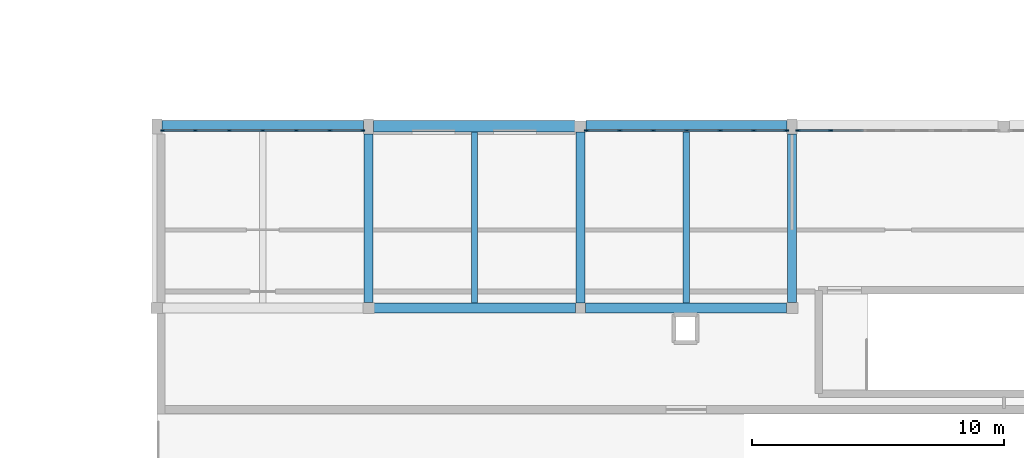
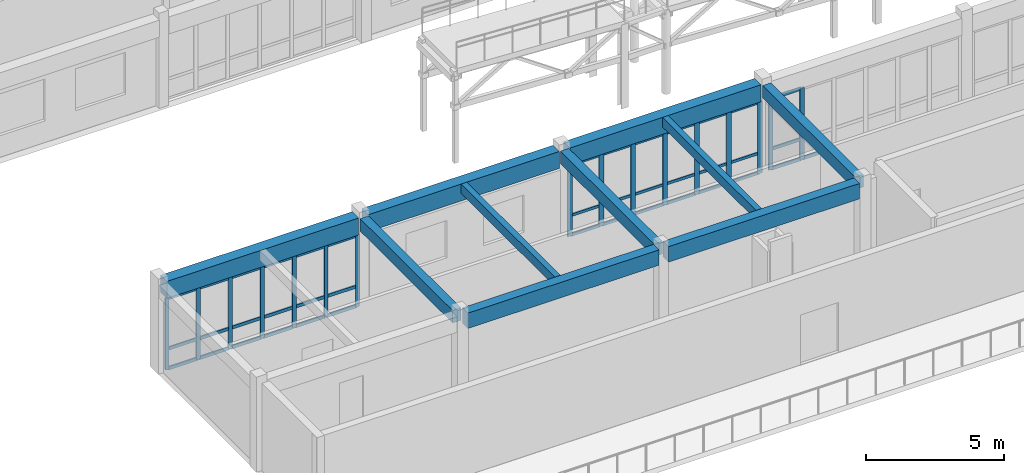
# One storey, part 22 of 89: 56 members, 10 beams, 3 elements without a shape of their own.
"""IFC4 building model written with IfcOpenShell, lengths in metres."""

from ifc_helpers import new_model, si_unit, direction, frame, origin, origin_2d, place, context, subcontext, project, spatial, rectangle, extrude, material, material_profile, profile_set, type_object, element, aggregate, save


model = new_model("IFC4")

# Units and contexts
model_context = context("Model", 3, precision=1e-05, world=origin(), true_north=direction((0.0, 1.0)))
body_context = subcontext(model_context, "Body", "Model", "MODEL_VIEW")
ifc_project = project(units=[si_unit("LENGTHUNIT", "METRE"), si_unit("AREAUNIT", "SQUARE_METRE"), si_unit("VOLUMEUNIT", "CUBIC_METRE"), si_unit("PLANEANGLEUNIT", "RADIAN"), si_unit("MASSUNIT", "GRAM", prefix="KILO")], contexts=[model_context])

# Site, building, storey
site_placement = place(None, origin())
site = spatial("IfcSite", under=ifc_project, at=site_placement, CompositionType="ELEMENT")
building_placement = place(site_placement, origin())
building = spatial("IfcBuilding", under=site, at=building_placement, Name="Malvenik Polytechnic", CompositionType="ELEMENT")
storey_placement = place(building_placement, frame((0.0, 0.0, 13.5)))
storey = spatial("IfcBuildingStorey", under=building, at=storey_placement, Name="L03", CompositionType="ELEMENT", Elevation=13.5)

# Curtain wall, members
ifc_material_1 = material(Name="Anodised aluminium 6060-T6", Category="aluminium")
curtain_wall_type = type_object("IfcCurtainWallType", Name="ARC-CW-CW-02", PredefinedType="NOTDEFINED", material=ifc_material_1)
curtain_wall_1_placement = place(storey_placement, origin())
curtain_wall_1 = element("IfcCurtainWall", 1, at=curtain_wall_1_placement, inside=storey, type_object=curtain_wall_type, Name="Unitised Curtain Wall CW-02 L03 #206", PredefinedType="NOTDEFINED")
ifc_material_2 = material(Name="Anodised aluminium", Category="aluminium")
ifc_material_profile_1 = material_profile(ifc_material_2, rectangle(XDim=0.06005859375, YDim=0.159912109375, at=origin_2d()), Name="ALU MULLION 60x160")
ifc_profile_set_1 = profile_set([ifc_material_profile_1], Name="Anodised aluminium")
member_type_1 = type_object("IfcMemberType", Name="ARC-CWM-160", PredefinedType="MULLION", material=ifc_profile_set_1)
member_1_placement = place(storey_placement, frame((8.6279296875, 64.6298828125, 0.0), z_axis=(0.0, 0.0, 1.0), x_axis=(0.0, 1.0, 0.0)))
member_1 = element("IfcMember", 2, at=member_1_placement, type_object=member_type_1, Name="CW-02 mullion 1", PredefinedType="MULLION", context=body_context, shape_type="SweptSolid", body=[
    extrude(rectangle(XDim=0.06005859375, YDim=0.159912109375, at=origin_2d()), origin(), (0.0, 0.0, 1.0), 3.159912109375),
])
member_2_placement = place(storey_placement, frame((9.931884765625, 64.6298828125, 0.0), z_axis=(0.0, 0.0, 1.0), x_axis=(0.0, 1.0, 0.0)))
member_2 = element("IfcMember", 3, at=member_2_placement, type_object=member_type_1, Name="CW-02 mullion 2", PredefinedType="MULLION", context=body_context, shape_type="SweptSolid", body=[
    extrude(rectangle(XDim=0.06005859375, YDim=0.159912109375, at=origin_2d()), origin(), (0.0, 0.0, 1.0), 3.159912109375),
])
member_3_placement = place(storey_placement, frame((11.26611328125, 64.6298828125, 0.0), z_axis=(0.0, 0.0, 1.0), x_axis=(0.0, 1.0, 0.0)))
member_3 = element("IfcMember", 4, at=member_3_placement, type_object=member_type_1, Name="CW-02 mullion 3", PredefinedType="MULLION", context=body_context, shape_type="SweptSolid", body=[
    extrude(rectangle(XDim=0.06005859375, YDim=0.159912109375, at=origin_2d()), origin(), (0.0, 0.0, 1.0), 3.159912109375),
])
member_4_placement = place(storey_placement, frame((12.60009765625, 64.6298828125, 0.0), z_axis=(0.0, 0.0, 1.0), x_axis=(0.0, 1.0, 0.0)))
member_4 = element("IfcMember", 5, at=member_4_placement, type_object=member_type_1, Name="CW-02 mullion 4", PredefinedType="MULLION", context=body_context, shape_type="SweptSolid", body=[
    extrude(rectangle(XDim=0.06005859375, YDim=0.159912109375, at=origin_2d()), origin(), (0.0, 0.0, 1.0), 3.159912109375),
])
member_5_placement = place(storey_placement, frame((13.93408203125, 64.6298828125, 0.0), z_axis=(0.0, 0.0, 1.0), x_axis=(0.0, 1.0, 0.0)))
member_5 = element("IfcMember", 6, at=member_5_placement, type_object=member_type_1, Name="CW-02 mullion 5", PredefinedType="MULLION", context=body_context, shape_type="SweptSolid", body=[
    extrude(rectangle(XDim=0.06005859375, YDim=0.159912109375, at=origin_2d()), origin(), (0.0, 0.0, 1.0), 3.159912109375),
])
member_6_placement = place(storey_placement, frame((15.26806640625, 64.6298828125, 0.0), z_axis=(0.0, 0.0, 1.0), x_axis=(0.0, 1.0, 0.0)))
member_6 = element("IfcMember", 7, at=member_6_placement, type_object=member_type_1, Name="CW-02 mullion 6", PredefinedType="MULLION", context=body_context, shape_type="SweptSolid", body=[
    extrude(rectangle(XDim=0.06005859375, YDim=0.159912109375, at=origin_2d()), origin(), (0.0, 0.0, 1.0), 3.159912109375),
])
member_7_placement = place(storey_placement, frame((16.572021484375, 64.6298828125, 0.0), z_axis=(0.0, 0.0, 1.0), x_axis=(0.0, 1.0, 0.0)))
member_7 = element("IfcMember", 8, at=member_7_placement, type_object=member_type_1, Name="CW-02 mullion 7", PredefinedType="MULLION", context=body_context, shape_type="SweptSolid", body=[
    extrude(rectangle(XDim=0.06005859375, YDim=0.159912109375, at=origin_2d()), origin(), (0.0, 0.0, 1.0), 3.159912109375),
])

curtain_wall_2_placement = place(storey_placement, origin())
curtain_wall_2 = element("IfcCurtainWall", 9, at=curtain_wall_2_placement, inside=storey, type_object=curtain_wall_type, Name="Unitised Curtain Wall CW-02 L03 #208", PredefinedType="NOTDEFINED")
ifc_material_profile_2 = material_profile(ifc_material_2, rectangle(XDim=0.06005859375, YDim=0.179931640625, at=origin_2d()), Name="ALU MULLION 60x180")
ifc_profile_set_2 = profile_set([ifc_material_profile_2], Name="Anodised aluminium")
member_type_2 = type_object("IfcMemberType", Name="ARC-CWM-180", PredefinedType="MULLION", material=ifc_profile_set_2)
member_8_placement = place(storey_placement, frame((33.827880859375, 64.6298828125, 0.0), z_axis=(0.0, 0.0, 1.0), x_axis=(0.0, 1.0, 0.0)))
member_8 = element("IfcMember", 10, at=member_8_placement, type_object=member_type_2, Name="CW-02 mullion 1", PredefinedType="MULLION", context=body_context, shape_type="SweptSolid", body=[
    extrude(rectangle(XDim=0.06005859375, YDim=0.179931640625, at=origin_2d()), origin(), (0.0, 0.0, 1.0), 3.159912109375),
])
member_9_placement = place(storey_placement, frame((35.1279296875, 64.6298828125, 0.0), z_axis=(0.0, 0.0, 1.0), x_axis=(0.0, 1.0, 0.0)))
member_9 = element("IfcMember", 11, at=member_9_placement, type_object=member_type_2, Name="CW-02 mullion 2", PredefinedType="MULLION", context=body_context, shape_type="SweptSolid", body=[
    extrude(rectangle(XDim=0.06005859375, YDim=0.179931640625, at=origin_2d()), origin(), (0.0, 0.0, 1.0), 3.159912109375),
])

curtain_wall_3_placement = place(storey_placement, origin())
curtain_wall_3 = element("IfcCurtainWall", 12, at=curtain_wall_3_placement, inside=storey, type_object=curtain_wall_type, Name="Unitised Curtain Wall CW-02 L03 #207", PredefinedType="NOTDEFINED")
ifc_material_profile_3 = material_profile(ifc_material_2, rectangle(XDim=0.06005859375, YDim=0.199951171875, at=origin_2d()), Name="ALU MULLION 60x200")
ifc_profile_set_3 = profile_set([ifc_material_profile_3], Name="Anodised aluminium")
member_type_3 = type_object("IfcMemberType", Name="ARC-CWM-200", PredefinedType="MULLION", material=ifc_profile_set_3)
member_10_placement = place(storey_placement, frame((25.452880859375, 64.6298828125, 0.0), z_axis=(0.0, 0.0, 1.0), x_axis=(0.0, 1.0, 0.0)))
member_10 = element("IfcMember", 13, at=member_10_placement, type_object=member_type_3, Name="CW-02 mullion 1", PredefinedType="MULLION", context=body_context, shape_type="SweptSolid", body=[
    extrude(rectangle(XDim=0.06005859375, YDim=0.199951171875, at=origin_2d()), origin(), (0.0, 0.0, 1.0), 3.159912109375),
])
member_11_placement = place(storey_placement, frame((26.7529296875, 64.6298828125, 0.0), z_axis=(0.0, 0.0, 1.0), x_axis=(0.0, 1.0, 0.0)))
member_11 = element("IfcMember", 14, at=member_11_placement, type_object=member_type_3, Name="CW-02 mullion 2", PredefinedType="MULLION", context=body_context, shape_type="SweptSolid", body=[
    extrude(rectangle(XDim=0.06005859375, YDim=0.199951171875, at=origin_2d()), origin(), (0.0, 0.0, 1.0), 3.159912109375),
])
member_12_placement = place(storey_placement, frame((28.082763671875, 64.6298828125, 0.0), z_axis=(0.0, 0.0, 1.0), x_axis=(0.0, 1.0, 0.0)))
member_12 = element("IfcMember", 15, at=member_12_placement, type_object=member_type_3, Name="CW-02 mullion 3", PredefinedType="MULLION", context=body_context, shape_type="SweptSolid", body=[
    extrude(rectangle(XDim=0.06005859375, YDim=0.199951171875, at=origin_2d()), origin(), (0.0, 0.0, 1.0), 3.159912109375),
])
member_13_placement = place(storey_placement, frame((29.41259765625, 64.6298828125, 0.0), z_axis=(0.0, 0.0, 1.0), x_axis=(0.0, 1.0, 0.0)))
member_13 = element("IfcMember", 16, at=member_13_placement, type_object=member_type_3, Name="CW-02 mullion 4", PredefinedType="MULLION", context=body_context, shape_type="SweptSolid", body=[
    extrude(rectangle(XDim=0.06005859375, YDim=0.199951171875, at=origin_2d()), origin(), (0.0, 0.0, 1.0), 3.159912109375),
])
member_14_placement = place(storey_placement, frame((30.742431640625, 64.6298828125, 0.0), z_axis=(0.0, 0.0, 1.0), x_axis=(0.0, 1.0, 0.0)))
member_14 = element("IfcMember", 17, at=member_14_placement, type_object=member_type_3, Name="CW-02 mullion 5", PredefinedType="MULLION", context=body_context, shape_type="SweptSolid", body=[
    extrude(rectangle(XDim=0.06005859375, YDim=0.199951171875, at=origin_2d()), origin(), (0.0, 0.0, 1.0), 3.159912109375),
])
member_15_placement = place(storey_placement, frame((32.072265625, 64.6298828125, 0.0), z_axis=(0.0, 0.0, 1.0), x_axis=(0.0, 1.0, 0.0)))
member_15 = element("IfcMember", 18, at=member_15_placement, type_object=member_type_3, Name="CW-02 mullion 6", PredefinedType="MULLION", context=body_context, shape_type="SweptSolid", body=[
    extrude(rectangle(XDim=0.06005859375, YDim=0.199951171875, at=origin_2d()), origin(), (0.0, 0.0, 1.0), 3.159912109375),
])
member_16_placement = place(storey_placement, frame((33.3720703125, 64.6298828125, 0.0), z_axis=(0.0, 0.0, 1.0), x_axis=(0.0, 1.0, 0.0)))
member_16 = element("IfcMember", 19, at=member_16_placement, type_object=member_type_3, Name="CW-02 mullion 7", PredefinedType="MULLION", context=body_context, shape_type="SweptSolid", body=[
    extrude(rectangle(XDim=0.06005859375, YDim=0.199951171875, at=origin_2d()), origin(), (0.0, 0.0, 1.0), 3.159912109375),
])
ifc_material_profile_4 = material_profile(ifc_material_2, rectangle(XDim=0.06005859375, YDim=0.1201171875, at=origin_2d()), Name="ALU TRANSOM 60x120")
ifc_profile_set_4 = profile_set([ifc_material_profile_4], Name="Anodised aluminium")
member_type_4 = type_object("IfcMemberType", Name="ARC-CWT-120", PredefinedType="USERDEFINED", material=ifc_profile_set_4)
member_17_placement = place(storey_placement, frame((25.48291015625, 64.6298828125, 0.030029296875), z_axis=(1.0, 0.0, 0.0), x_axis=(0.0, 1.0, 0.0)))
member_17 = element("IfcMember", 20, at=member_17_placement, type_object=member_type_4, Name="CW-02 transom 1.1", ObjectType="TRANSOM", PredefinedType="USERDEFINED", context=body_context, shape_type="SweptSolid", body=[
    extrude(rectangle(XDim=0.06005859375, YDim=0.1201171875, at=origin_2d()), origin(), (0.0, 0.0, 1.0), 1.239990234375),
])
member_18_placement = place(storey_placement, frame((25.48291015625, 64.6298828125, 0.89990234375), z_axis=(1.0, 0.0, 0.0), x_axis=(0.0, 1.0, 0.0)))
member_18 = element("IfcMember", 21, at=member_18_placement, type_object=member_type_4, Name="CW-02 transom 1.2", ObjectType="TRANSOM", PredefinedType="USERDEFINED", context=body_context, shape_type="SweptSolid", body=[
    extrude(rectangle(XDim=0.06005859375, YDim=0.1201171875, at=origin_2d()), origin(), (0.0, 0.0, 1.0), 1.239990234375),
])
member_19_placement = place(storey_placement, frame((25.48291015625, 64.6298828125, 3.1298828125), z_axis=(1.0, 0.0, 0.0), x_axis=(0.0, 1.0, 0.0)))
member_19 = element("IfcMember", 22, at=member_19_placement, type_object=member_type_4, Name="CW-02 transom 1.3", ObjectType="TRANSOM", PredefinedType="USERDEFINED", context=body_context, shape_type="SweptSolid", body=[
    extrude(rectangle(XDim=0.06005859375, YDim=0.1201171875, at=origin_2d()), origin(), (0.0, 0.0, 1.0), 1.239990234375),
])
member_20_placement = place(storey_placement, frame((26.78271484375, 64.6298828125, 0.030029296875), z_axis=(1.0, 0.0, 0.0), x_axis=(0.0, 1.0, 0.0)))
member_20 = element("IfcMember", 23, at=member_20_placement, type_object=member_type_4, Name="CW-02 transom 2.1", ObjectType="TRANSOM", PredefinedType="USERDEFINED", context=body_context, shape_type="SweptSolid", body=[
    extrude(rectangle(XDim=0.06005859375, YDim=0.1201171875, at=origin_2d()), origin(), (0.0, 0.0, 1.0), 1.27001953125),
])
member_21_placement = place(storey_placement, frame((26.78271484375, 64.6298828125, 0.89990234375), z_axis=(1.0, 0.0, 0.0), x_axis=(0.0, 1.0, 0.0)))
member_21 = element("IfcMember", 24, at=member_21_placement, type_object=member_type_4, Name="CW-02 transom 2.2", ObjectType="TRANSOM", PredefinedType="USERDEFINED", context=body_context, shape_type="SweptSolid", body=[
    extrude(rectangle(XDim=0.06005859375, YDim=0.1201171875, at=origin_2d()), origin(), (0.0, 0.0, 1.0), 1.27001953125),
])
member_22_placement = place(storey_placement, frame((26.78271484375, 64.6298828125, 3.1298828125), z_axis=(1.0, 0.0, 0.0), x_axis=(0.0, 1.0, 0.0)))
member_22 = element("IfcMember", 25, at=member_22_placement, type_object=member_type_4, Name="CW-02 transom 2.3", ObjectType="TRANSOM", PredefinedType="USERDEFINED", context=body_context, shape_type="SweptSolid", body=[
    extrude(rectangle(XDim=0.06005859375, YDim=0.1201171875, at=origin_2d()), origin(), (0.0, 0.0, 1.0), 1.27001953125),
])
member_23_placement = place(storey_placement, frame((28.112548828125, 64.6298828125, 0.030029296875), z_axis=(1.0, 0.0, 0.0), x_axis=(0.0, 1.0, 0.0)))
member_23 = element("IfcMember", 26, at=member_23_placement, type_object=member_type_4, Name="CW-02 transom 3.1", ObjectType="TRANSOM", PredefinedType="USERDEFINED", context=body_context, shape_type="SweptSolid", body=[
    extrude(rectangle(XDim=0.06005859375, YDim=0.1201171875, at=origin_2d()), origin(), (0.0, 0.0, 1.0), 1.27001953125),
])
member_24_placement = place(storey_placement, frame((28.112548828125, 64.6298828125, 0.89990234375), z_axis=(1.0, 0.0, 0.0), x_axis=(0.0, 1.0, 0.0)))
member_24 = element("IfcMember", 27, at=member_24_placement, type_object=member_type_4, Name="CW-02 transom 3.2", ObjectType="TRANSOM", PredefinedType="USERDEFINED", context=body_context, shape_type="SweptSolid", body=[
    extrude(rectangle(XDim=0.06005859375, YDim=0.1201171875, at=origin_2d()), origin(), (0.0, 0.0, 1.0), 1.27001953125),
])
member_25_placement = place(storey_placement, frame((28.112548828125, 64.6298828125, 3.1298828125), z_axis=(1.0, 0.0, 0.0), x_axis=(0.0, 1.0, 0.0)))
member_25 = element("IfcMember", 28, at=member_25_placement, type_object=member_type_4, Name="CW-02 transom 3.3", ObjectType="TRANSOM", PredefinedType="USERDEFINED", context=body_context, shape_type="SweptSolid", body=[
    extrude(rectangle(XDim=0.06005859375, YDim=0.1201171875, at=origin_2d()), origin(), (0.0, 0.0, 1.0), 1.27001953125),
])
member_26_placement = place(storey_placement, frame((29.4423828125, 64.6298828125, 0.030029296875), z_axis=(1.0, 0.0, 0.0), x_axis=(0.0, 1.0, 0.0)))
member_26 = element("IfcMember", 29, at=member_26_placement, type_object=member_type_4, Name="CW-02 transom 4.1", ObjectType="TRANSOM", PredefinedType="USERDEFINED", context=body_context, shape_type="SweptSolid", body=[
    extrude(rectangle(XDim=0.06005859375, YDim=0.1201171875, at=origin_2d()), origin(), (0.0, 0.0, 1.0), 1.27001953125),
])
member_27_placement = place(storey_placement, frame((29.4423828125, 64.6298828125, 0.89990234375), z_axis=(1.0, 0.0, 0.0), x_axis=(0.0, 1.0, 0.0)))
member_27 = element("IfcMember", 30, at=member_27_placement, type_object=member_type_4, Name="CW-02 transom 4.2", ObjectType="TRANSOM", PredefinedType="USERDEFINED", context=body_context, shape_type="SweptSolid", body=[
    extrude(rectangle(XDim=0.06005859375, YDim=0.1201171875, at=origin_2d()), origin(), (0.0, 0.0, 1.0), 1.27001953125),
])
member_28_placement = place(storey_placement, frame((29.4423828125, 64.6298828125, 3.1298828125), z_axis=(1.0, 0.0, 0.0), x_axis=(0.0, 1.0, 0.0)))
member_28 = element("IfcMember", 31, at=member_28_placement, type_object=member_type_4, Name="CW-02 transom 4.3", ObjectType="TRANSOM", PredefinedType="USERDEFINED", context=body_context, shape_type="SweptSolid", body=[
    extrude(rectangle(XDim=0.06005859375, YDim=0.1201171875, at=origin_2d()), origin(), (0.0, 0.0, 1.0), 1.27001953125),
])
member_29_placement = place(storey_placement, frame((30.772216796875, 64.6298828125, 0.030029296875), z_axis=(1.0, 0.0, 0.0), x_axis=(0.0, 1.0, 0.0)))
member_29 = element("IfcMember", 32, at=member_29_placement, type_object=member_type_4, Name="CW-02 transom 5.1", ObjectType="TRANSOM", PredefinedType="USERDEFINED", context=body_context, shape_type="SweptSolid", body=[
    extrude(rectangle(XDim=0.06005859375, YDim=0.1201171875, at=origin_2d()), origin(), (0.0, 0.0, 1.0), 1.27001953125),
])
member_30_placement = place(storey_placement, frame((30.772216796875, 64.6298828125, 0.89990234375), z_axis=(1.0, 0.0, 0.0), x_axis=(0.0, 1.0, 0.0)))
member_30 = element("IfcMember", 33, at=member_30_placement, type_object=member_type_4, Name="CW-02 transom 5.2", ObjectType="TRANSOM", PredefinedType="USERDEFINED", context=body_context, shape_type="SweptSolid", body=[
    extrude(rectangle(XDim=0.06005859375, YDim=0.1201171875, at=origin_2d()), origin(), (0.0, 0.0, 1.0), 1.27001953125),
])
member_31_placement = place(storey_placement, frame((30.772216796875, 64.6298828125, 3.1298828125), z_axis=(1.0, 0.0, 0.0), x_axis=(0.0, 1.0, 0.0)))
member_31 = element("IfcMember", 34, at=member_31_placement, type_object=member_type_4, Name="CW-02 transom 5.3", ObjectType="TRANSOM", PredefinedType="USERDEFINED", context=body_context, shape_type="SweptSolid", body=[
    extrude(rectangle(XDim=0.06005859375, YDim=0.1201171875, at=origin_2d()), origin(), (0.0, 0.0, 1.0), 1.27001953125),
])
member_32_placement = place(storey_placement, frame((32.10205078125, 64.6298828125, 0.030029296875), z_axis=(1.0, 0.0, 0.0), x_axis=(0.0, 1.0, 0.0)))
member_32 = element("IfcMember", 35, at=member_32_placement, type_object=member_type_4, Name="CW-02 transom 6.1", ObjectType="TRANSOM", PredefinedType="USERDEFINED", context=body_context, shape_type="SweptSolid", body=[
    extrude(rectangle(XDim=0.06005859375, YDim=0.1201171875, at=origin_2d()), origin(), (0.0, 0.0, 1.0), 1.239990234375),
])
member_33_placement = place(storey_placement, frame((32.10205078125, 64.6298828125, 0.89990234375), z_axis=(1.0, 0.0, 0.0), x_axis=(0.0, 1.0, 0.0)))
member_33 = element("IfcMember", 36, at=member_33_placement, type_object=member_type_4, Name="CW-02 transom 6.2", ObjectType="TRANSOM", PredefinedType="USERDEFINED", context=body_context, shape_type="SweptSolid", body=[
    extrude(rectangle(XDim=0.06005859375, YDim=0.1201171875, at=origin_2d()), origin(), (0.0, 0.0, 1.0), 1.239990234375),
])
member_34_placement = place(storey_placement, frame((32.10205078125, 64.6298828125, 3.1298828125), z_axis=(1.0, 0.0, 0.0), x_axis=(0.0, 1.0, 0.0)))
member_34 = element("IfcMember", 37, at=member_34_placement, type_object=member_type_4, Name="CW-02 transom 6.3", ObjectType="TRANSOM", PredefinedType="USERDEFINED", context=body_context, shape_type="SweptSolid", body=[
    extrude(rectangle(XDim=0.06005859375, YDim=0.1201171875, at=origin_2d()), origin(), (0.0, 0.0, 1.0), 1.239990234375),
])
aggregate(curtain_wall_3, [member_10, member_11, member_12, member_13, member_14, member_15, member_16, member_17, member_18, member_19, member_20, member_21, member_22, member_23, member_24, member_25, member_26, member_27, member_28, member_29, member_30, member_31, member_32, member_33, member_34])

# Member
ifc_material_profile_5 = material_profile(ifc_material_2, rectangle(XDim=0.06005859375, YDim=0.139892578125, at=origin_2d()), Name="ALU TRANSOM 60x140")
ifc_profile_set_5 = profile_set([ifc_material_profile_5], Name="Anodised aluminium")
member_type_5 = type_object("IfcMemberType", Name="ARC-CWT-140", PredefinedType="USERDEFINED", material=ifc_profile_set_5)
member_35_placement = place(storey_placement, frame((8.657958984375, 64.6298828125, 0.030029296875), z_axis=(1.0, 0.0, 0.0), x_axis=(0.0, 1.0, 0.0)))
member_35 = element("IfcMember", 38, at=member_35_placement, type_object=member_type_5, Name="CW-02 transom 1.1", ObjectType="TRANSOM", PredefinedType="USERDEFINED", context=body_context, shape_type="SweptSolid", body=[
    extrude(rectangle(XDim=0.06005859375, YDim=0.139892578125, at=origin_2d()), origin(), (0.0, 0.0, 1.0), 1.244140625),
])

member_36_placement = place(storey_placement, frame((8.657958984375, 64.6298828125, 0.89990234375), z_axis=(1.0, 0.0, 0.0), x_axis=(0.0, 1.0, 0.0)))
member_36 = element("IfcMember", 39, at=member_36_placement, type_object=member_type_5, Name="CW-02 transom 1.2", ObjectType="TRANSOM", PredefinedType="USERDEFINED", context=body_context, shape_type="SweptSolid", body=[
    extrude(rectangle(XDim=0.06005859375, YDim=0.139892578125, at=origin_2d()), origin(), (0.0, 0.0, 1.0), 1.244140625),
])

member_37_placement = place(storey_placement, frame((8.657958984375, 64.6298828125, 3.1298828125), z_axis=(1.0, 0.0, 0.0), x_axis=(0.0, 1.0, 0.0)))
member_37 = element("IfcMember", 40, at=member_37_placement, type_object=member_type_5, Name="CW-02 transom 1.3", ObjectType="TRANSOM", PredefinedType="USERDEFINED", context=body_context, shape_type="SweptSolid", body=[
    extrude(rectangle(XDim=0.06005859375, YDim=0.139892578125, at=origin_2d()), origin(), (0.0, 0.0, 1.0), 1.244140625),
])

member_38_placement = place(storey_placement, frame((9.9619140625, 64.6298828125, 0.030029296875), z_axis=(1.0, 0.0, 0.0), x_axis=(0.0, 1.0, 0.0)))
member_38 = element("IfcMember", 41, at=member_38_placement, type_object=member_type_5, Name="CW-02 transom 2.1", ObjectType="TRANSOM", PredefinedType="USERDEFINED", context=body_context, shape_type="SweptSolid", body=[
    extrude(rectangle(XDim=0.06005859375, YDim=0.139892578125, at=origin_2d()), origin(), (0.0, 0.0, 1.0), 1.274169921875),
])

member_39_placement = place(storey_placement, frame((9.9619140625, 64.6298828125, 0.89990234375), z_axis=(1.0, 0.0, 0.0), x_axis=(0.0, 1.0, 0.0)))
member_39 = element("IfcMember", 42, at=member_39_placement, type_object=member_type_5, Name="CW-02 transom 2.2", ObjectType="TRANSOM", PredefinedType="USERDEFINED", context=body_context, shape_type="SweptSolid", body=[
    extrude(rectangle(XDim=0.06005859375, YDim=0.139892578125, at=origin_2d()), origin(), (0.0, 0.0, 1.0), 1.274169921875),
])

member_40_placement = place(storey_placement, frame((9.9619140625, 64.6298828125, 3.1298828125), z_axis=(1.0, 0.0, 0.0), x_axis=(0.0, 1.0, 0.0)))
member_40 = element("IfcMember", 43, at=member_40_placement, type_object=member_type_5, Name="CW-02 transom 2.3", ObjectType="TRANSOM", PredefinedType="USERDEFINED", context=body_context, shape_type="SweptSolid", body=[
    extrude(rectangle(XDim=0.06005859375, YDim=0.139892578125, at=origin_2d()), origin(), (0.0, 0.0, 1.0), 1.274169921875),
])

member_41_placement = place(storey_placement, frame((11.2958984375, 64.6298828125, 0.030029296875), z_axis=(1.0, 0.0, 0.0), x_axis=(0.0, 1.0, 0.0)))
member_41 = element("IfcMember", 44, at=member_41_placement, type_object=member_type_5, Name="CW-02 transom 3.1", ObjectType="TRANSOM", PredefinedType="USERDEFINED", context=body_context, shape_type="SweptSolid", body=[
    extrude(rectangle(XDim=0.06005859375, YDim=0.139892578125, at=origin_2d()), origin(), (0.0, 0.0, 1.0), 1.274169921875),
])

member_42_placement = place(storey_placement, frame((11.2958984375, 64.6298828125, 0.89990234375), z_axis=(1.0, 0.0, 0.0), x_axis=(0.0, 1.0, 0.0)))
member_42 = element("IfcMember", 45, at=member_42_placement, type_object=member_type_5, Name="CW-02 transom 3.2", ObjectType="TRANSOM", PredefinedType="USERDEFINED", context=body_context, shape_type="SweptSolid", body=[
    extrude(rectangle(XDim=0.06005859375, YDim=0.139892578125, at=origin_2d()), origin(), (0.0, 0.0, 1.0), 1.274169921875),
])

member_43_placement = place(storey_placement, frame((11.2958984375, 64.6298828125, 3.1298828125), z_axis=(1.0, 0.0, 0.0), x_axis=(0.0, 1.0, 0.0)))
member_43 = element("IfcMember", 46, at=member_43_placement, type_object=member_type_5, Name="CW-02 transom 3.3", ObjectType="TRANSOM", PredefinedType="USERDEFINED", context=body_context, shape_type="SweptSolid", body=[
    extrude(rectangle(XDim=0.06005859375, YDim=0.139892578125, at=origin_2d()), origin(), (0.0, 0.0, 1.0), 1.274169921875),
])

member_44_placement = place(storey_placement, frame((12.6298828125, 64.6298828125, 0.030029296875), z_axis=(1.0, 0.0, 0.0), x_axis=(0.0, 1.0, 0.0)))
member_44 = element("IfcMember", 47, at=member_44_placement, type_object=member_type_5, Name="CW-02 transom 4.1", ObjectType="TRANSOM", PredefinedType="USERDEFINED", context=body_context, shape_type="SweptSolid", body=[
    extrude(rectangle(XDim=0.06005859375, YDim=0.139892578125, at=origin_2d()), origin(), (0.0, 0.0, 1.0), 1.274169921875),
])

member_45_placement = place(storey_placement, frame((12.6298828125, 64.6298828125, 0.89990234375), z_axis=(1.0, 0.0, 0.0), x_axis=(0.0, 1.0, 0.0)))
member_45 = element("IfcMember", 48, at=member_45_placement, type_object=member_type_5, Name="CW-02 transom 4.2", ObjectType="TRANSOM", PredefinedType="USERDEFINED", context=body_context, shape_type="SweptSolid", body=[
    extrude(rectangle(XDim=0.06005859375, YDim=0.139892578125, at=origin_2d()), origin(), (0.0, 0.0, 1.0), 1.274169921875),
])

member_46_placement = place(storey_placement, frame((12.6298828125, 64.6298828125, 3.1298828125), z_axis=(1.0, 0.0, 0.0), x_axis=(0.0, 1.0, 0.0)))
member_46 = element("IfcMember", 49, at=member_46_placement, type_object=member_type_5, Name="CW-02 transom 4.3", ObjectType="TRANSOM", PredefinedType="USERDEFINED", context=body_context, shape_type="SweptSolid", body=[
    extrude(rectangle(XDim=0.06005859375, YDim=0.139892578125, at=origin_2d()), origin(), (0.0, 0.0, 1.0), 1.274169921875),
])

member_47_placement = place(storey_placement, frame((13.964111328125, 64.6298828125, 0.030029296875), z_axis=(1.0, 0.0, 0.0), x_axis=(0.0, 1.0, 0.0)))
member_47 = element("IfcMember", 50, at=member_47_placement, type_object=member_type_5, Name="CW-02 transom 5.1", ObjectType="TRANSOM", PredefinedType="USERDEFINED", context=body_context, shape_type="SweptSolid", body=[
    extrude(rectangle(XDim=0.06005859375, YDim=0.139892578125, at=origin_2d()), origin(), (0.0, 0.0, 1.0), 1.27392578125),
])

member_48_placement = place(storey_placement, frame((13.964111328125, 64.6298828125, 0.89990234375), z_axis=(1.0, 0.0, 0.0), x_axis=(0.0, 1.0, 0.0)))
member_48 = element("IfcMember", 51, at=member_48_placement, type_object=member_type_5, Name="CW-02 transom 5.2", ObjectType="TRANSOM", PredefinedType="USERDEFINED", context=body_context, shape_type="SweptSolid", body=[
    extrude(rectangle(XDim=0.06005859375, YDim=0.139892578125, at=origin_2d()), origin(), (0.0, 0.0, 1.0), 1.27392578125),
])

member_49_placement = place(storey_placement, frame((13.964111328125, 64.6298828125, 3.1298828125), z_axis=(1.0, 0.0, 0.0), x_axis=(0.0, 1.0, 0.0)))
member_49 = element("IfcMember", 52, at=member_49_placement, type_object=member_type_5, Name="CW-02 transom 5.3", ObjectType="TRANSOM", PredefinedType="USERDEFINED", context=body_context, shape_type="SweptSolid", body=[
    extrude(rectangle(XDim=0.06005859375, YDim=0.139892578125, at=origin_2d()), origin(), (0.0, 0.0, 1.0), 1.27392578125),
])

member_50_placement = place(storey_placement, frame((15.298095703125, 64.6298828125, 0.030029296875), z_axis=(1.0, 0.0, 0.0), x_axis=(0.0, 1.0, 0.0)))
member_50 = element("IfcMember", 53, at=member_50_placement, type_object=member_type_5, Name="CW-02 transom 6.1", ObjectType="TRANSOM", PredefinedType="USERDEFINED", context=body_context, shape_type="SweptSolid", body=[
    extrude(rectangle(XDim=0.06005859375, YDim=0.139892578125, at=origin_2d()), origin(), (0.0, 0.0, 1.0), 1.243896484375),
])

member_51_placement = place(storey_placement, frame((15.298095703125, 64.6298828125, 0.89990234375), z_axis=(1.0, 0.0, 0.0), x_axis=(0.0, 1.0, 0.0)))
member_51 = element("IfcMember", 54, at=member_51_placement, type_object=member_type_5, Name="CW-02 transom 6.2", ObjectType="TRANSOM", PredefinedType="USERDEFINED", context=body_context, shape_type="SweptSolid", body=[
    extrude(rectangle(XDim=0.06005859375, YDim=0.139892578125, at=origin_2d()), origin(), (0.0, 0.0, 1.0), 1.243896484375),
])

member_52_placement = place(storey_placement, frame((15.298095703125, 64.6298828125, 3.1298828125), z_axis=(1.0, 0.0, 0.0), x_axis=(0.0, 1.0, 0.0)))
member_52 = element("IfcMember", 55, at=member_52_placement, type_object=member_type_5, Name="CW-02 transom 6.3", ObjectType="TRANSOM", PredefinedType="USERDEFINED", context=body_context, shape_type="SweptSolid", body=[
    extrude(rectangle(XDim=0.06005859375, YDim=0.139892578125, at=origin_2d()), origin(), (0.0, 0.0, 1.0), 1.243896484375),
])

aggregate(curtain_wall_1, [member_1, member_2, member_3, member_4, member_5, member_6, member_7, member_35, member_36, member_37, member_38, member_39, member_40, member_41, member_42, member_43, member_44, member_45, member_46, member_47, member_48, member_49, member_50, member_51, member_52])

member_53_placement = place(storey_placement, frame((33.85791015625, 64.6298828125, 0.030029296875), z_axis=(1.0, 0.0, 0.0), x_axis=(0.0, 1.0, 0.0)))
member_53 = element("IfcMember", 56, at=member_53_placement, type_object=member_type_5, Name="CW-02 transom 1.1", ObjectType="TRANSOM", PredefinedType="USERDEFINED", context=body_context, shape_type="SweptSolid", body=[
    extrude(rectangle(XDim=0.06005859375, YDim=0.139892578125, at=origin_2d()), origin(), (0.0, 0.0, 1.0), 1.239990234375),
])

member_54_placement = place(storey_placement, frame((33.85791015625, 64.6298828125, 0.89990234375), z_axis=(1.0, 0.0, 0.0), x_axis=(0.0, 1.0, 0.0)))
member_54 = element("IfcMember", 57, at=member_54_placement, type_object=member_type_5, Name="CW-02 transom 1.2", ObjectType="TRANSOM", PredefinedType="USERDEFINED", context=body_context, shape_type="SweptSolid", body=[
    extrude(rectangle(XDim=0.06005859375, YDim=0.139892578125, at=origin_2d()), origin(), (0.0, 0.0, 1.0), 1.239990234375),
])

member_55_placement = place(storey_placement, frame((33.85791015625, 64.6298828125, 3.1298828125), z_axis=(1.0, 0.0, 0.0), x_axis=(0.0, 1.0, 0.0)))
member_55 = element("IfcMember", 58, at=member_55_placement, type_object=member_type_5, Name="CW-02 transom 1.3", ObjectType="TRANSOM", PredefinedType="USERDEFINED", context=body_context, shape_type="SweptSolid", body=[
    extrude(rectangle(XDim=0.06005859375, YDim=0.139892578125, at=origin_2d()), origin(), (0.0, 0.0, 1.0), 1.239990234375),
])

member_56_placement = place(storey_placement, frame((35.15771484375, 64.6298828125, 0.030029296875), z_axis=(1.0, 0.0, 0.0), x_axis=(0.0, 1.0, 0.0)))
member_56 = element("IfcMember", 59, at=member_56_placement, type_object=member_type_5, Name="CW-02 transom 2.1", ObjectType="TRANSOM", PredefinedType="USERDEFINED", context=body_context, shape_type="SweptSolid", body=[
    extrude(rectangle(XDim=0.06005859375, YDim=0.139892578125, at=origin_2d()), origin(), (0.0, 0.0, 1.0), 1.27001953125),
])

aggregate(curtain_wall_2, [member_8, member_9, member_53, member_54, member_55, member_56])

# Beams
ifc_material_3 = material(Name="Concrete C35/45", Category="concrete")
ifc_material_profile_6 = material_profile(ifc_material_3, rectangle(XDim=0.39990234375, YDim=0.679931640625, at=origin_2d()), Name="RC BM 400x680")
ifc_profile_set_6 = profile_set([ifc_material_profile_6], Name="Concrete C35/45")
beam_type_1 = type_object("IfcBeamType", Name="STR-BM-B-05", PredefinedType="BEAM", material=ifc_profile_set_6)
for number, where, z_axis, x_axis, name in (
    (60, (17.02294921875, 57.60009765625, 3.580078125), (1.0, 0.0, 0.0), (0.0, 1.0, 0.0), "Primary Beam B-05 L03 #1623"),
    (61, (25.39794921875, 57.60009765625, 3.580078125), (1.0, 0.0, 0.0), (0.0, 1.0, 0.0), "Primary Beam B-05 L03 #1624"),
):
    element("IfcBeam", number, at=place(storey_placement, frame(where, z_axis=z_axis, x_axis=x_axis)), inside=storey, type_object=beam_type_1, Name=name, PredefinedType="BEAM", context=body_context, shape_type="SweptSolid", body=[
        extrude(rectangle(XDim=0.39990234375, YDim=0.679931640625, at=origin_2d()), origin(), (0.0, 0.0, 1.0), 7.97900390625),
    ])
ifc_material_profile_7 = material_profile(ifc_material_3, rectangle(XDim=0.35009765625, YDim=0.550048828125, at=origin_2d()), Name="RC BM 350x550")
ifc_profile_set_7 = profile_set([ifc_material_profile_7], Name="Concrete C35/45")
beam_type_2 = type_object("IfcBeamType", Name="STR-BM-B-08", PredefinedType="BEAM", material=ifc_profile_set_7)
beam_1_placement = place(storey_placement, frame((16.800048828125, 57.822998046875, 3.64501953125), z_axis=(0.0, 1.0, 0.0), x_axis=(-1.0, 0.0, 0.0)))
element("IfcBeam", 62, at=beam_1_placement, inside=storey, type_object=beam_type_2, Name="Transverse Beam B-08 L03 #1728", PredefinedType="BEAM", context=body_context, shape_type="SweptSolid", body=[
    extrude(rectangle(XDim=0.35009765625, YDim=0.550048828125, at=origin_2d()), origin(), (0.0, 0.0, 1.0), 6.678955078125),
])
beam_2_placement = place(storey_placement, frame((25.199951171875, 57.798095703125, 3.64501953125), z_axis=(0.0, 1.0, 0.0), x_axis=(-1.0, 0.0, 0.0)))
element("IfcBeam", 63, at=beam_2_placement, inside=storey, type_object=beam_type_2, Name="Transverse Beam B-08 L03 #1729", PredefinedType="BEAM", context=body_context, shape_type="SweptSolid", body=[
    extrude(rectangle(XDim=0.35009765625, YDim=0.550048828125, at=origin_2d()), origin(), (0.0, 0.0, 1.0), 6.77880859375),
])
beam_3_placement = place(storey_placement, frame((33.60009765625, 57.822998046875, 3.64501953125), z_axis=(0.0, 1.0, 0.0), x_axis=(-1.0, 0.0, 0.0)))
element("IfcBeam", 64, at=beam_3_placement, inside=storey, type_object=beam_type_2, Name="Transverse Beam B-08 L03 #1734", PredefinedType="BEAM", context=body_context, shape_type="SweptSolid", body=[
    extrude(rectangle(XDim=0.35009765625, YDim=0.550048828125, at=origin_2d()), origin(), (0.0, 0.0, 1.0), 6.678955078125),
])
ifc_material_4 = material(Name="Concrete C30/37", Category="concrete")
ifc_material_profile_8 = material_profile(ifc_material_4, rectangle(XDim=0.239990234375, YDim=0.419921875, at=origin_2d()), Name="RC JST 240x420")
ifc_profile_set_8 = profile_set([ifc_material_profile_8], Name="Concrete C30/37")
beam_type_3 = type_object("IfcBeamType", Name="STR-BM-J-03", PredefinedType="JOIST", material=ifc_profile_set_8)
for number, where, z_axis, x_axis, name in (
    (65, (21.0, 57.798095703125, 3.7099609375), (0.0, 1.0, 0.0), (-1.0, 0.0, 0.0), "Secondary Rib Joist J-03 L03 #1788"),
    (66, (29.39990234375, 57.798095703125, 3.7099609375), (0.0, 1.0, 0.0), (-1.0, 0.0, 0.0), "Secondary Rib Joist J-03 L03 #1789"),
):
    element("IfcBeam", number, at=place(storey_placement, frame(where, z_axis=z_axis, x_axis=x_axis)), inside=storey, type_object=beam_type_3, Name=name, PredefinedType="JOIST", context=body_context, shape_type="SweptSolid", body=[
        extrude(rectangle(XDim=0.239990234375, YDim=0.419921875, at=origin_2d()), origin(), (0.0, 0.0, 1.0), 6.77392578125),
    ])
ifc_material_5 = material(Name="Precast concrete C40/50", Category="concrete")
ifc_material_profile_9 = material_profile(ifc_material_5, rectangle(XDim=0.4599609375, YDim=0.75, at=origin_2d()), Name="PC SPN 460x750")
ifc_profile_set_9 = profile_set([ifc_material_profile_9], Name="Precast concrete C40/50")
beam_type_4 = type_object("IfcBeamType", Name="STR-BM-SP-02", PredefinedType="SPANDREL", material=ifc_profile_set_9)
beam_4_placement = place(storey_placement, frame((8.597900390625, 64.800048828125, 3.544921875), z_axis=(1.0, 0.0, 0.0), x_axis=(0.0, 1.0, 0.0)))
element("IfcBeam", 67, at=beam_4_placement, inside=storey, type_object=beam_type_4, Name="Primary Beam SP-02 L03 #1627", PredefinedType="SPANDREL", context=body_context, shape_type="SweptSolid", body=[
    extrude(rectangle(XDim=0.4599609375, YDim=0.75, at=origin_2d()), origin(), (0.0, 0.0, 1.0), 8.004150390625),
])
for number, where, z_axis, x_axis, name in (
    (68, (16.998046875, 64.800048828125, 3.544921875), (1.0, 0.0, 0.0), (0.0, 1.0, 0.0), "Primary Beam SP-02 L03 #1628"),
    (69, (25.423095703125, 64.800048828125, 3.544921875), (1.0, 0.0, 0.0), (0.0, 1.0, 0.0), "Primary Beam SP-02 L03 #1629"),
):
    element("IfcBeam", number, at=place(storey_placement, frame(where, z_axis=z_axis, x_axis=x_axis)), inside=storey, type_object=beam_type_4, Name=name, PredefinedType="SPANDREL", context=body_context, shape_type="SweptSolid", body=[
        extrude(rectangle(XDim=0.4599609375, YDim=0.75, at=origin_2d()), origin(), (0.0, 0.0, 1.0), 7.97900390625),
    ])

save(model, "model.ifc")
